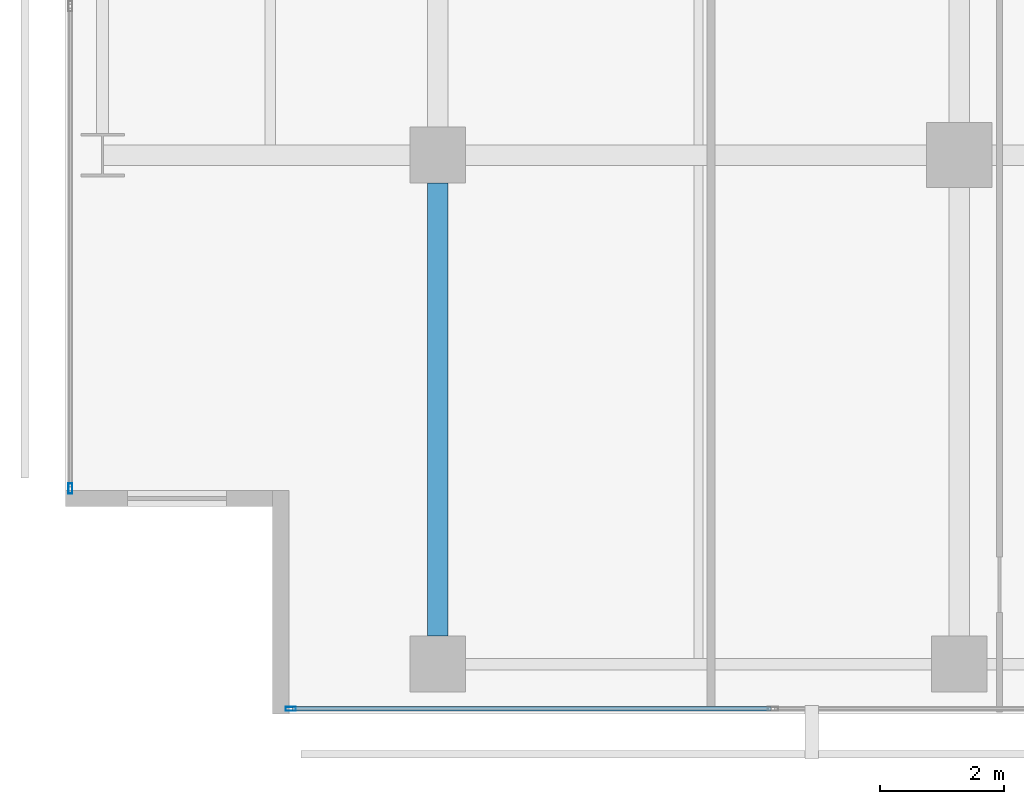
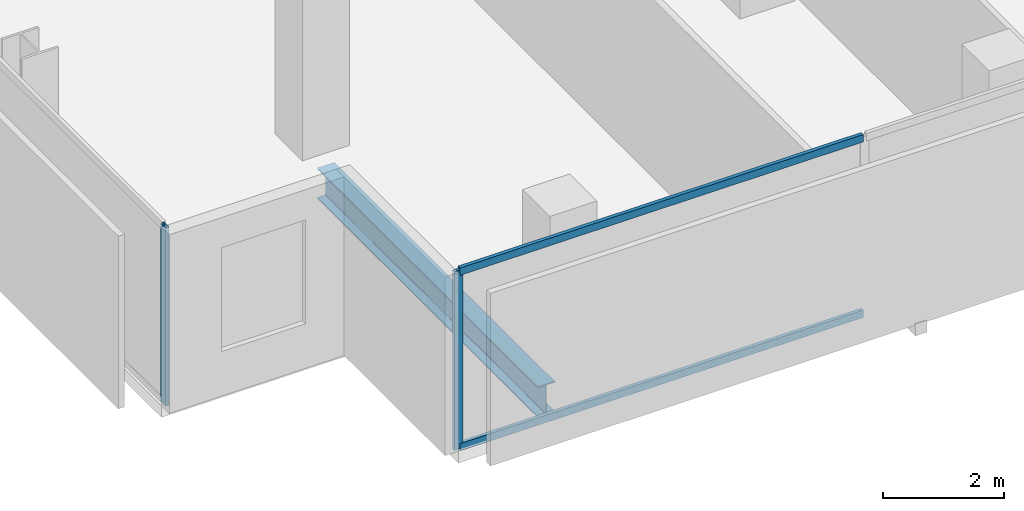
# One storey, part 2 of 40: 4 members, 1 beam, 2 elements without a shape of their own.
"""IFC4 building model written with IfcOpenShell, lengths in metres."""

import ifcopenshell
import ifcopenshell.guid

model = None  # the IFC model being written
_history = None  # IfcOwnerHistory: only IFC2X3 demands one
_inside = {}  # id of a spatial element -> (the spatial element, [elements in it])
_under = {}  # id of a project, library or spatial element -> (it, [spatial elements below it])
_declared = {}  # id of a project -> (the project, [libraries it declares])
_typed = {}  # id of a type object -> (the type object, [elements of that type])
_made_of = {}  # id of a material, layer set ... -> (it, [elements and type objects made of it])


def new_model(schema):
    """Start an empty IFC model of exactly this schema.

    Asked for "IFC4X3", IfcOpenShell would pick the latest addendum, in which some entities
    have other attributes; the version numbers below select the first issue.
    IFC2X3 requires an IfcOwnerHistory on every rooted entity: one is made here for all.
    """
    global model, _history
    if schema == "IFC4X3":
        model = ifcopenshell.file(schema_version=(4, 3, 0, 0))
    else:
        model = ifcopenshell.file(schema=schema)
    _inside.clear()
    _under.clear()
    _declared.clear()
    _typed.clear()
    _made_of.clear()
    _history = None
    if model.schema == "IFC2X3":
        org = make("IfcOrganization", Name="unknown")
        user = make(
            "IfcPersonAndOrganization",
            ThePerson=make("IfcPerson", FamilyName="unknown"),
            TheOrganization=org,
        )
        app = make(
            "IfcApplication",
            ApplicationDeveloper=org,
            Version="unknown",
            ApplicationFullName="unknown",
            ApplicationIdentifier="unknown",
        )
        _history = make(
            "IfcOwnerHistory",
            OwningUser=user,
            OwningApplication=app,
            ChangeAction="ADDED",
            CreationDate=0,
        )
    return model


def make(cls, **values):
    """One entity of the class cls with the attributes given. An attribute that is None is left unset."""
    return model.create_entity(
        cls, **{name: value for name, value in values.items() if value is not None}
    )


def rooted(cls, **values):
    """An entity with a GlobalId (a new one), such as an element, a storey or a relation."""
    return make(cls, GlobalId=ifcopenshell.guid.new(), OwnerHistory=_history, **values)


def si_unit(unit_type, name, prefix=None):
    """IfcSIUnit, for example si_unit("LENGTHUNIT", "METRE", prefix="MILLI")."""
    return make("IfcSIUnit", UnitType=unit_type, Prefix=prefix, Name=name)


def assignment(units):
    """IfcUnitAssignment: the units of a project."""
    return None if units is None else make("IfcUnitAssignment", Units=units)


def point(xyz):
    """IfcCartesianPoint."""
    return None if xyz is None else make("IfcCartesianPoint", Coordinates=xyz)


def direction(xyz):
    """IfcDirection."""
    return None if xyz is None else make("IfcDirection", DirectionRatios=xyz)


def frame(location, z_axis=None, x_axis=None):
    """IfcAxis2Placement3D, a coordinate frame: its origin and axes. An axis left out is left unset."""
    return make(
        "IfcAxis2Placement3D",
        Location=point(location),
        Axis=direction(z_axis),
        RefDirection=direction(x_axis),
    )


def frame_2d(location, x_axis=None):
    """IfcAxis2Placement2D, a coordinate frame in the plane: its origin and x axis."""
    return make(
        "IfcAxis2Placement2D", Location=point(location), RefDirection=direction(x_axis)
    )


def origin():
    """The frame at (0, 0, 0) with its axes left unset."""
    return frame((0.0, 0.0, 0.0))


def origin_2d():
    """The frame at (0, 0) in the plane with its x axis left unset."""
    return frame_2d((0.0, 0.0))


def place(relative_to, where):
    """IfcLocalPlacement: puts the frame where relative to a parent placement (None: the world)."""
    return make(
        "IfcLocalPlacement", PlacementRelTo=relative_to, RelativePlacement=where
    )


def context(
    kind, dimensions, precision=None, world=None, true_north=None, identifier=None
):
    """IfcGeometricRepresentationContext, for example the 3D "Model" context."""
    return make(
        "IfcGeometricRepresentationContext",
        ContextIdentifier=identifier,
        ContextType=kind,
        CoordinateSpaceDimension=dimensions,
        Precision=precision,
        WorldCoordinateSystem=world,
        TrueNorth=true_north,
    )


def subcontext(parent, identifier, kind, view, scale=None):
    """IfcGeometricRepresentationSubContext, for example "Body" below "Model"."""
    return make(
        "IfcGeometricRepresentationSubContext",
        ContextIdentifier=identifier,
        ContextType=kind,
        ParentContext=parent,
        TargetScale=scale,
        TargetView=view,
    )


def project(units=None, contexts=None):
    """IfcProject with its units and contexts."""
    return rooted(
        "IfcProject",
        Name="project",
        RepresentationContexts=contexts,
        UnitsInContext=assignment(units),
    )


def spatial(cls, under=None, at=None, **own):
    """A site, building, storey or space (cls), placed at a placement, below another one or the project."""
    s = rooted(cls, ObjectPlacement=at, **own)
    if under is not None:
        _under.setdefault(under.id(), (under, []))[1].append(s)
    return s


def profile(cls, at=None, kind="AREA", **sizes):
    """A parametric profile (cls). Its sizes go by their IFC names, for example OverallWidth=200.0."""
    return make(cls, ProfileType=kind, Position=at, **sizes)


def hollow_rectangle(**sizes):
    """IfcRectangleHollowProfileDef."""
    return profile("IfcRectangleHollowProfileDef", **sizes)


def i_section(**sizes):
    """IfcIShapeProfileDef."""
    return profile("IfcIShapeProfileDef", **sizes)


def extrude(swept, where, along, depth):
    """IfcExtrudedAreaSolid: the profile swept, set in the frame where, extruded along a direction by depth."""
    return make(
        "IfcExtrudedAreaSolid",
        SweptArea=swept,
        Position=where,
        ExtrudedDirection=direction(along),
        Depth=depth,
    )


def shape(context_of_items, identifier, shape_type, items):
    """IfcShapeRepresentation: the items that make up one representation, for example the "Body"."""
    return make(
        "IfcShapeRepresentation",
        ContextOfItems=context_of_items,
        RepresentationIdentifier=identifier,
        RepresentationType=shape_type,
        Items=items,
    )


def material(Name=None, Category=None):
    """IfcMaterial."""
    return make("IfcMaterial", Name=Name, Category=Category)


def layer(
    of_material, thickness, ventilated=None, Name=None, Category=None, Priority=None
):
    """IfcMaterialLayer: one layer of a wall or slab, of a material (None: an air gap)."""
    return make(
        "IfcMaterialLayer",
        Material=of_material,
        LayerThickness=thickness,
        IsVentilated=ventilated,
        Name=Name,
        Category=Category,
        Priority=Priority,
    )


def layer_set(layers, Name=None):
    """IfcMaterialLayerSet."""
    return make("IfcMaterialLayerSet", MaterialLayers=layers, LayerSetName=Name)


def material_profile(
    of_material, cross_section, Name=None, Category=None, Priority=None
):
    """IfcMaterialProfile: a cross section and its material."""
    return make(
        "IfcMaterialProfile",
        Name=Name,
        Material=of_material,
        Profile=cross_section,
        Priority=Priority,
        Category=Category,
    )


def profile_set(profiles, Name=None, composite=None):
    """IfcMaterialProfileSet."""
    return make(
        "IfcMaterialProfileSet",
        Name=Name,
        MaterialProfiles=profiles,
        CompositeProfile=composite,
    )


def made_of(thing, what):
    """Note that an element or type object is made of a material, layer set ...; save() writes the relation."""
    if what is not None:
        _made_of.setdefault(what.id(), (what, []))[1].append(thing)
    return thing


def type_object(cls, material=None, **own):
    """A type object (cls), such as IfcWallType, which elements share."""
    return made_of(rooted(cls, **own), material)


def element(
    cls,
    number,
    at=None,
    inside=None,
    cuts=None,
    type_object=None,
    material=None,
    context=None,
    identifier="Body",
    shape_type=None,
    held_by="IfcProductDefinitionShape",
    body=None,
    shapes=None,
    **own,
):
    """One element of the class cls, such as IfcWall. Its Tag is "e" and its number.

    at: its placement. inside: the storey or other place that contains it. cuts: it is an
    opening in that element (IfcRelVoidsElement). A single representation is given by context,
    identifier, shape_type and body (its items); several are given by shapes. held_by: the class
    of the entity that holds the representations. save() writes the other relations.
    """
    e = rooted(cls, Tag="e%d" % number, ObjectPlacement=at, **own)
    if body is not None:
        shapes = [shape(context, identifier, shape_type, body)]
    if shapes is not None:
        e.Representation = make(held_by, Representations=shapes)
    if inside is not None:
        _inside.setdefault(inside.id(), (inside, []))[1].append(e)
    if cuts is not None:
        rooted(
            "IfcRelVoidsElement", RelatingBuildingElement=cuts, RelatedOpeningElement=e
        )
    if type_object is not None:
        _typed.setdefault(type_object.id(), (type_object, []))[1].append(e)
    return made_of(e, material)


def aggregate(whole, parts):
    """IfcRelAggregates: a whole, such as a stair, and the parts it consists of."""
    return rooted("IfcRelAggregates", RelatingObject=whole, RelatedObjects=parts)


def save(model, path):
    """Write the relations noted so far, then the file.

    IfcRelAggregates (storeys below a building ...), IfcRelContainedInSpatialStructure (elements
    in a storey), IfcRelDefinesByType, IfcRelAssociatesMaterial and IfcRelDeclares: one each for
    every whole, place, type object, material and project.
    """
    for whole, parts in _under.values():
        aggregate(whole, parts)
    for where, things in _inside.values():
        rooted(
            "IfcRelContainedInSpatialStructure",
            RelatedElements=things,
            RelatingStructure=where,
        )
    for kind, things in _typed.values():
        rooted("IfcRelDefinesByType", RelatedObjects=things, RelatingType=kind)
    for what, things in _made_of.values():
        rooted("IfcRelAssociatesMaterial", RelatedObjects=things, RelatingMaterial=what)
    for by, libraries in _declared.values():
        rooted("IfcRelDeclares", RelatingContext=by, RelatedDefinitions=libraries)
    model.write(path)


model = new_model("IFC4")

# Units and contexts
model_context = context("Model", 3, precision=1e-05, world=origin(), true_north=direction((0.0, 1.0)))
body_context = subcontext(model_context, "Body", "Model", "MODEL_VIEW")
ifc_project = project(units=[si_unit("LENGTHUNIT", "METRE"), si_unit("AREAUNIT", "SQUARE_METRE"), si_unit("VOLUMEUNIT", "CUBIC_METRE"), si_unit("PLANEANGLEUNIT", "RADIAN"), si_unit("MASSUNIT", "GRAM", prefix="KILO")], contexts=[model_context])

# Site, building, storey
site_placement = place(None, origin())
site = spatial("IfcSite", under=ifc_project, at=site_placement, CompositionType="ELEMENT")
building_placement = place(site_placement, origin())
building = spatial("IfcBuilding", under=site, at=building_placement, Name="Maruvema Waterfront Hotel and Observation Tower", CompositionType="ELEMENT")
storey_placement = place(building_placement, frame((0.0, 0.0, 50.050048828125)))
storey = spatial("IfcBuildingStorey", under=building, at=storey_placement, Name="L11", CompositionType="ELEMENT", Elevation=50.050048828125)

# Curtain wall, members
ifc_material_1 = material(Name="Anodised bronze aluminium and solar-control low-E IGU", Category="aluminium")
ifc_layer = layer(ifc_material_1, 0.159912109375, Name="Zone 1 Bronze Inner Thermal Curtain Wall System CW-02")
ifc_layer_set = layer_set([ifc_layer], Name="Anodised bronze aluminium and solar-control low-E IGU")
curtain_wall_type = type_object("IfcCurtainWallType", Name="Zone 1 Bronze Inner Thermal Curtain Wall System CW-02", PredefinedType="USERDEFINED", material=ifc_layer_set)
curtain_wall_1_placement = place(storey_placement, origin())
curtain_wall_1 = element("IfcCurtainWall", 1, at=curtain_wall_1_placement, inside=storey, type_object=curtain_wall_type, Name="L11 Curtain Wall CW-L11-S", ObjectType="UNITISED CURTAIN WALL", PredefinedType="USERDEFINED")
ifc_material_2 = material(Name="Anodised architectural bronze aluminium", Category="aluminium")
ifc_material_profile_1 = material_profile(ifc_material_2, hollow_rectangle(XDim=0.070068359375, YDim=0.14990234375, WallThickness=0.00390625, at=origin_2d()), Name="ALU-T70x150")
ifc_profile_set_1 = profile_set([ifc_material_profile_1], Name="Anodised architectural bronze aluminium")
member_type_1 = type_object("IfcMemberType", Name="Curtain Wall Horizontal Transom ALU-T70x150", PredefinedType="USERDEFINED", material=ifc_profile_set_1)
member_1_placement = place(storey_placement, frame((14.4599609375, 0.080078125, 0.030029296875), z_axis=(1.0, 0.0, 0.0), x_axis=(0.0, 1.0, 0.0)))
member_1 = element("IfcMember", 2, at=member_1_placement, type_object=member_type_1, Name="CW-02 transom 1.1", ObjectType="TRANSOM", PredefinedType="USERDEFINED", context=body_context, shape_type="SweptSolid", body=[
    extrude(hollow_rectangle(XDim=0.070068359375, YDim=0.14990234375, WallThickness=0.00390625, at=origin_2d()), origin(), (0.0, 0.0, 1.0), 7.7099609375),
])
member_2_placement = place(storey_placement, frame((14.4599609375, 0.080078125, 3.579833984375), z_axis=(1.0, 0.0, 0.0), x_axis=(0.0, 1.0, 0.0)))
member_2 = element("IfcMember", 3, at=member_2_placement, type_object=member_type_1, Name="CW-02 transom 1.2", ObjectType="TRANSOM", PredefinedType="USERDEFINED", context=body_context, shape_type="SweptSolid", body=[
    extrude(hollow_rectangle(XDim=0.070068359375, YDim=0.14990234375, WallThickness=0.00390625, at=origin_2d()), origin(), (0.0, 0.0, 1.0), 7.7099609375),
])
ifc_material_3 = material(Name="Anodised architectural bronze aluminium", Category="aluminium")
ifc_material_profile_2 = material_profile(ifc_material_3, hollow_rectangle(XDim=0.06494140625, YDim=0.1650390625, WallThickness=0.00390625, at=origin_2d()), Name="ALU-M65x165")
ifc_profile_set_2 = profile_set([ifc_material_profile_2], Name="Anodised architectural bronze aluminium")
member_type_2 = type_object("IfcMemberType", Name="Curtain Wall Primary Mullion ALU-M65x165", PredefinedType="MULLION", material=ifc_profile_set_2)
member_3_placement = place(storey_placement, frame((14.429931640625, 0.080078125, 0.0), z_axis=(0.0, 0.0, 1.0), x_axis=(0.0, 1.0, 0.0)))
member_3 = element("IfcMember", 4, at=member_3_placement, type_object=member_type_2, Name="CW-02 mullion 1", PredefinedType="MULLION", context=body_context, shape_type="SweptSolid", body=[
    extrude(hollow_rectangle(XDim=0.06494140625, YDim=0.1650390625, WallThickness=0.00390625, at=origin_2d()), origin(), (0.0, 0.0, 1.0), 3.60986328125),
])
aggregate(curtain_wall_1, [member_3, member_1, member_2])

# Curtain wall, member
curtain_wall_2_placement = place(storey_placement, origin())
curtain_wall_2 = element("IfcCurtainWall", 5, at=curtain_wall_2_placement, inside=storey, type_object=curtain_wall_type, Name="L11 Curtain Wall CW-L11-W", ObjectType="UNITISED CURTAIN WALL", PredefinedType="USERDEFINED")
member_4_placement = place(storey_placement, frame((10.8798828125, 3.6298828125, 0.0), z_axis=(0.0, 0.0, 1.0), x_axis=(1.0, 0.0, 0.0)))
member_4 = element("IfcMember", 6, at=member_4_placement, type_object=member_type_2, Name="CW-02 mullion 7", PredefinedType="MULLION", context=body_context, shape_type="SweptSolid", body=[
    extrude(hollow_rectangle(XDim=0.06494140625, YDim=0.1650390625, WallThickness=0.00390625, at=origin_2d()), origin(), (0.0, 0.0, 1.0), 3.60986328125),
])
aggregate(curtain_wall_2, [member_4])

# Beam
ifc_material_4 = material(Name="Steel ASTM A572 Grade 50", Category="steel")
ifc_material_profile_3 = material_profile(ifc_material_4, i_section(OverallWidth=0.326904296875, OverallDepth=0.6220703125, WebThickness=0.015380859375, FlangeThickness=0.0244140625, FilletRadius=0.01806640625, at=origin_2d()), Name="W610x195.0")
ifc_profile_set_3 = profile_set([ifc_material_profile_3], Name="Steel ASTM A572 Grade 50")
beam_type = type_object("IfcBeamType", Name="Primary Floor Girder W610x195.0", PredefinedType="BEAM", material=ifc_profile_set_3)
beam_placement = place(storey_placement, frame((16.800048828125, 1.25, -0.551025390625), z_axis=(0.0, 1.0, 0.0), x_axis=(-1.0, 0.0, 0.0)))
element("IfcBeam", 7, at=beam_placement, inside=storey, type_object=beam_type, Name="L11 Floor Girder NS-05", PredefinedType="BEAM", context=body_context, shape_type="SweptSolid", body=[
    extrude(i_section(OverallWidth=0.326904296875, OverallDepth=0.6220703125, WebThickness=0.015380859375, FlangeThickness=0.0244140625, FilletRadius=0.01806640625, at=origin_2d()), origin(), (0.0, 0.0, 1.0), 7.300048828125),
])

save(model, "model.ifc")
